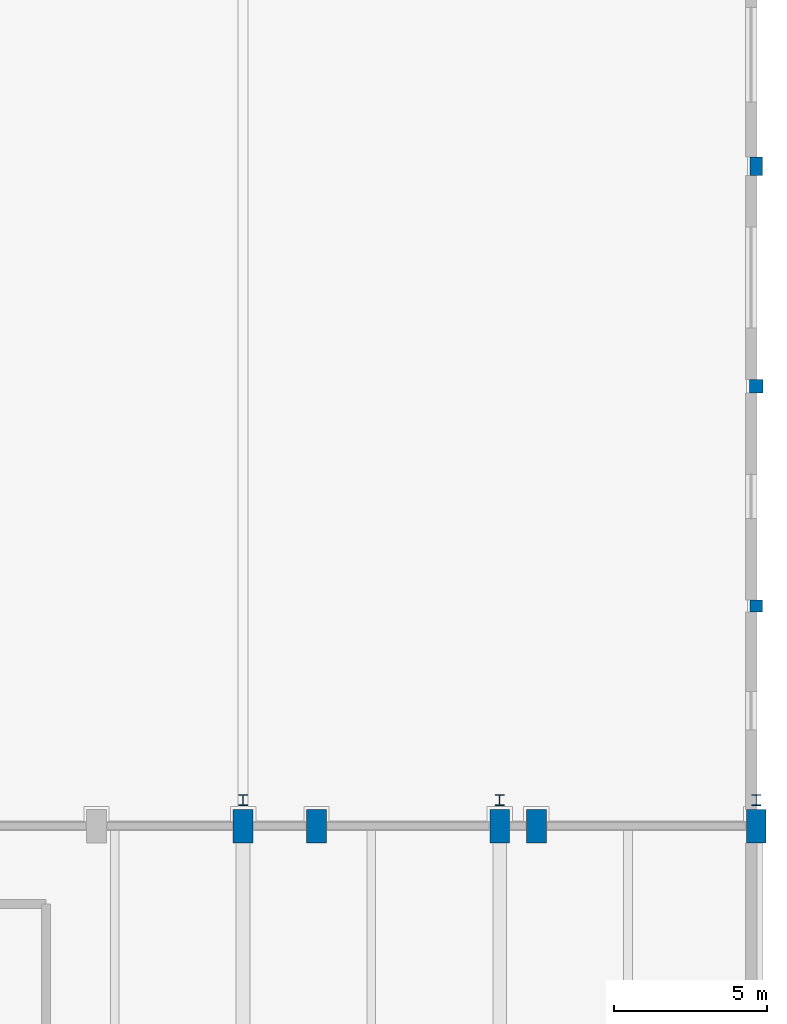
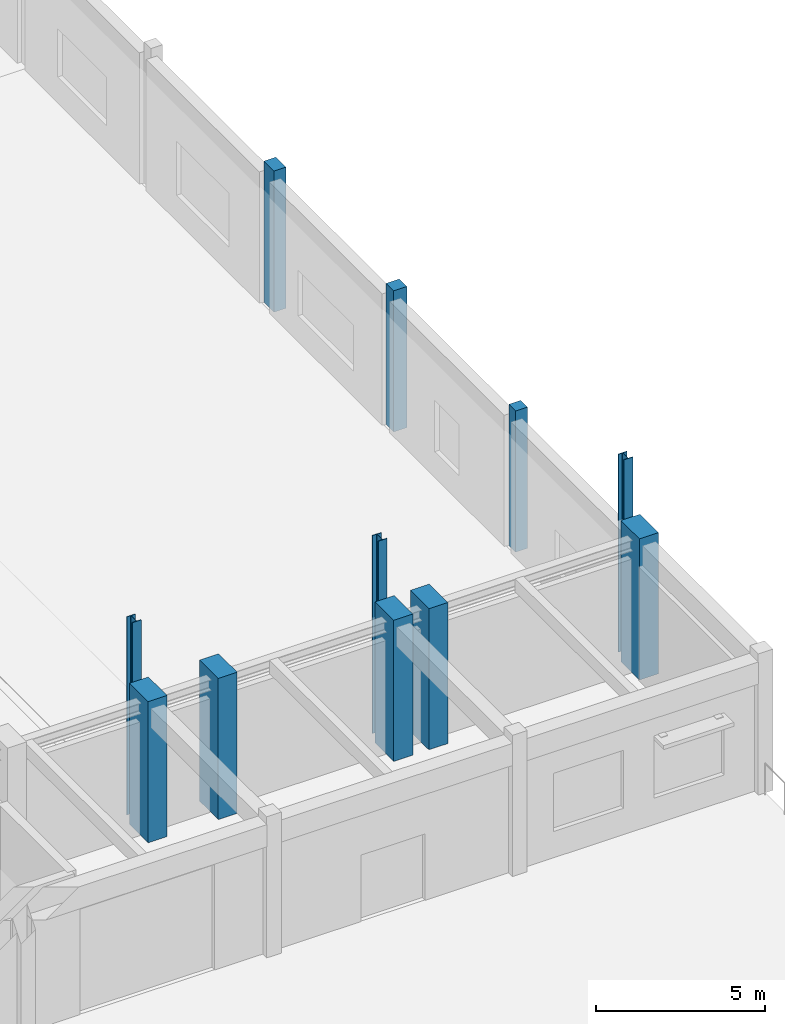
# One storey, part 30 of 121: 11 columns.
"""IFC4 building model written with IfcOpenShell, lengths in metres."""

import ifcopenshell
import ifcopenshell.guid

model = None  # the IFC model being written
_history = None  # IfcOwnerHistory: only IFC2X3 demands one
_inside = {}  # id of a spatial element -> (the spatial element, [elements in it])
_under = {}  # id of a project, library or spatial element -> (it, [spatial elements below it])
_declared = {}  # id of a project -> (the project, [libraries it declares])
_typed = {}  # id of a type object -> (the type object, [elements of that type])
_made_of = {}  # id of a material, layer set ... -> (it, [elements and type objects made of it])


def new_model(schema):
    """Start an empty IFC model of exactly this schema.

    Asked for "IFC4X3", IfcOpenShell would pick the latest addendum, in which some entities
    have other attributes; the version numbers below select the first issue.
    IFC2X3 requires an IfcOwnerHistory on every rooted entity: one is made here for all.
    """
    global model, _history
    if schema == "IFC4X3":
        model = ifcopenshell.file(schema_version=(4, 3, 0, 0))
    else:
        model = ifcopenshell.file(schema=schema)
    _inside.clear()
    _under.clear()
    _declared.clear()
    _typed.clear()
    _made_of.clear()
    _history = None
    if model.schema == "IFC2X3":
        org = make("IfcOrganization", Name="unknown")
        user = make(
            "IfcPersonAndOrganization",
            ThePerson=make("IfcPerson", FamilyName="unknown"),
            TheOrganization=org,
        )
        app = make(
            "IfcApplication",
            ApplicationDeveloper=org,
            Version="unknown",
            ApplicationFullName="unknown",
            ApplicationIdentifier="unknown",
        )
        _history = make(
            "IfcOwnerHistory",
            OwningUser=user,
            OwningApplication=app,
            ChangeAction="ADDED",
            CreationDate=0,
        )
    return model


def make(cls, **values):
    """One entity of the class cls with the attributes given. An attribute that is None is left unset."""
    return model.create_entity(
        cls, **{name: value for name, value in values.items() if value is not None}
    )


def rooted(cls, **values):
    """An entity with a GlobalId (a new one), such as an element, a storey or a relation."""
    return make(cls, GlobalId=ifcopenshell.guid.new(), OwnerHistory=_history, **values)


def si_unit(unit_type, name, prefix=None):
    """IfcSIUnit, for example si_unit("LENGTHUNIT", "METRE", prefix="MILLI")."""
    return make("IfcSIUnit", UnitType=unit_type, Prefix=prefix, Name=name)


def assignment(units):
    """IfcUnitAssignment: the units of a project."""
    return None if units is None else make("IfcUnitAssignment", Units=units)


def point(xyz):
    """IfcCartesianPoint."""
    return None if xyz is None else make("IfcCartesianPoint", Coordinates=xyz)


def direction(xyz):
    """IfcDirection."""
    return None if xyz is None else make("IfcDirection", DirectionRatios=xyz)


def frame(location, z_axis=None, x_axis=None):
    """IfcAxis2Placement3D, a coordinate frame: its origin and axes. An axis left out is left unset."""
    return make(
        "IfcAxis2Placement3D",
        Location=point(location),
        Axis=direction(z_axis),
        RefDirection=direction(x_axis),
    )


def frame_2d(location, x_axis=None):
    """IfcAxis2Placement2D, a coordinate frame in the plane: its origin and x axis."""
    return make(
        "IfcAxis2Placement2D", Location=point(location), RefDirection=direction(x_axis)
    )


def origin():
    """The frame at (0, 0, 0) with its axes left unset."""
    return frame((0.0, 0.0, 0.0))


def origin_2d():
    """The frame at (0, 0) in the plane with its x axis left unset."""
    return frame_2d((0.0, 0.0))


def place(relative_to, where):
    """IfcLocalPlacement: puts the frame where relative to a parent placement (None: the world)."""
    return make(
        "IfcLocalPlacement", PlacementRelTo=relative_to, RelativePlacement=where
    )


def context(
    kind, dimensions, precision=None, world=None, true_north=None, identifier=None
):
    """IfcGeometricRepresentationContext, for example the 3D "Model" context."""
    return make(
        "IfcGeometricRepresentationContext",
        ContextIdentifier=identifier,
        ContextType=kind,
        CoordinateSpaceDimension=dimensions,
        Precision=precision,
        WorldCoordinateSystem=world,
        TrueNorth=true_north,
    )


def subcontext(parent, identifier, kind, view, scale=None):
    """IfcGeometricRepresentationSubContext, for example "Body" below "Model"."""
    return make(
        "IfcGeometricRepresentationSubContext",
        ContextIdentifier=identifier,
        ContextType=kind,
        ParentContext=parent,
        TargetScale=scale,
        TargetView=view,
    )


def project(units=None, contexts=None):
    """IfcProject with its units and contexts."""
    return rooted(
        "IfcProject",
        Name="project",
        RepresentationContexts=contexts,
        UnitsInContext=assignment(units),
    )


def spatial(cls, under=None, at=None, **own):
    """A site, building, storey or space (cls), placed at a placement, below another one or the project."""
    s = rooted(cls, ObjectPlacement=at, **own)
    if under is not None:
        _under.setdefault(under.id(), (under, []))[1].append(s)
    return s


def profile(cls, at=None, kind="AREA", **sizes):
    """A parametric profile (cls). Its sizes go by their IFC names, for example OverallWidth=200.0."""
    return make(cls, ProfileType=kind, Position=at, **sizes)


def rectangle(**sizes):
    """IfcRectangleProfileDef."""
    return profile("IfcRectangleProfileDef", **sizes)


def i_section(**sizes):
    """IfcIShapeProfileDef."""
    return profile("IfcIShapeProfileDef", **sizes)


def extrude(swept, where, along, depth):
    """IfcExtrudedAreaSolid: the profile swept, set in the frame where, extruded along a direction by depth."""
    return make(
        "IfcExtrudedAreaSolid",
        SweptArea=swept,
        Position=where,
        ExtrudedDirection=direction(along),
        Depth=depth,
    )


def shape(context_of_items, identifier, shape_type, items):
    """IfcShapeRepresentation: the items that make up one representation, for example the "Body"."""
    return make(
        "IfcShapeRepresentation",
        ContextOfItems=context_of_items,
        RepresentationIdentifier=identifier,
        RepresentationType=shape_type,
        Items=items,
    )


def material(Name=None, Category=None):
    """IfcMaterial."""
    return make("IfcMaterial", Name=Name, Category=Category)


def material_profile(
    of_material, cross_section, Name=None, Category=None, Priority=None
):
    """IfcMaterialProfile: a cross section and its material."""
    return make(
        "IfcMaterialProfile",
        Name=Name,
        Material=of_material,
        Profile=cross_section,
        Priority=Priority,
        Category=Category,
    )


def profile_set(profiles, Name=None, composite=None):
    """IfcMaterialProfileSet."""
    return make(
        "IfcMaterialProfileSet",
        Name=Name,
        MaterialProfiles=profiles,
        CompositeProfile=composite,
    )


def made_of(thing, what):
    """Note that an element or type object is made of a material, layer set ...; save() writes the relation."""
    if what is not None:
        _made_of.setdefault(what.id(), (what, []))[1].append(thing)
    return thing


def type_object(cls, material=None, **own):
    """A type object (cls), such as IfcWallType, which elements share."""
    return made_of(rooted(cls, **own), material)


def element(
    cls,
    number,
    at=None,
    inside=None,
    cuts=None,
    type_object=None,
    material=None,
    context=None,
    identifier="Body",
    shape_type=None,
    held_by="IfcProductDefinitionShape",
    body=None,
    shapes=None,
    **own,
):
    """One element of the class cls, such as IfcWall. Its Tag is "e" and its number.

    at: its placement. inside: the storey or other place that contains it. cuts: it is an
    opening in that element (IfcRelVoidsElement). A single representation is given by context,
    identifier, shape_type and body (its items); several are given by shapes. held_by: the class
    of the entity that holds the representations. save() writes the other relations.
    """
    e = rooted(cls, Tag="e%d" % number, ObjectPlacement=at, **own)
    if body is not None:
        shapes = [shape(context, identifier, shape_type, body)]
    if shapes is not None:
        e.Representation = make(held_by, Representations=shapes)
    if inside is not None:
        _inside.setdefault(inside.id(), (inside, []))[1].append(e)
    if cuts is not None:
        rooted(
            "IfcRelVoidsElement", RelatingBuildingElement=cuts, RelatedOpeningElement=e
        )
    if type_object is not None:
        _typed.setdefault(type_object.id(), (type_object, []))[1].append(e)
    return made_of(e, material)


def aggregate(whole, parts):
    """IfcRelAggregates: a whole, such as a stair, and the parts it consists of."""
    return rooted("IfcRelAggregates", RelatingObject=whole, RelatedObjects=parts)


def save(model, path):
    """Write the relations noted so far, then the file.

    IfcRelAggregates (storeys below a building ...), IfcRelContainedInSpatialStructure (elements
    in a storey), IfcRelDefinesByType, IfcRelAssociatesMaterial and IfcRelDeclares: one each for
    every whole, place, type object, material and project.
    """
    for whole, parts in _under.values():
        aggregate(whole, parts)
    for where, things in _inside.values():
        rooted(
            "IfcRelContainedInSpatialStructure",
            RelatedElements=things,
            RelatingStructure=where,
        )
    for kind, things in _typed.values():
        rooted("IfcRelDefinesByType", RelatedObjects=things, RelatingType=kind)
    for what, things in _made_of.values():
        rooted("IfcRelAssociatesMaterial", RelatedObjects=things, RelatingMaterial=what)
    for by, libraries in _declared.values():
        rooted("IfcRelDeclares", RelatingContext=by, RelatedDefinitions=libraries)
    model.write(path)


model = new_model("IFC4")

# Units and contexts
model_context = context("Model", 3, precision=1e-05, world=origin(), true_north=direction((0.0, 1.0)))
body_context = subcontext(model_context, "Body", "Model", "MODEL_VIEW")
ifc_project = project(units=[si_unit("LENGTHUNIT", "METRE"), si_unit("AREAUNIT", "SQUARE_METRE"), si_unit("VOLUMEUNIT", "CUBIC_METRE"), si_unit("PLANEANGLEUNIT", "RADIAN"), si_unit("MASSUNIT", "GRAM", prefix="KILO")], contexts=[model_context])

# Site, building, storey
site_placement = place(None, origin())
site = spatial("IfcSite", under=ifc_project, at=site_placement, CompositionType="ELEMENT")
building_placement = place(site_placement, origin())
building = spatial("IfcBuilding", under=site, at=building_placement, Name="Malvenik Polytechnic", CompositionType="ELEMENT")
storey_placement = place(building_placement, origin())
storey = spatial("IfcBuildingStorey", under=building, at=storey_placement, Name="L00", CompositionType="ELEMENT", Elevation=0.0)

# Columns
ifc_material_1 = material(Name="Concrete C35/45", Category="concrete")
ifc_material_profile_1 = material_profile(ifc_material_1, rectangle(XDim=0.449951171875, YDim=0.449951171875, at=origin_2d()), Name="RC COL 450x450")
ifc_profile_set_1 = profile_set([ifc_material_profile_1], Name="Concrete C35/45")
column_type_1 = type_object("IfcColumnType", Name="STR-COL-C-09", PredefinedType="COLUMN", material=ifc_profile_set_1)
column_1_placement = place(storey_placement, frame((184.800048828125, 50.39990234375, 0.0), z_axis=(0.0, 0.0, 1.0), x_axis=(1.0, 0.0, 0.0)))
element("IfcColumn", 1, at=column_1_placement, inside=storey, type_object=column_type_1, Name="Column C-09 L00 (184.8,50.4)", PredefinedType="COLUMN", context=body_context, shape_type="SweptSolid", body=[
    extrude(rectangle(XDim=0.449951171875, YDim=0.449951171875, at=origin_2d()), origin(), (0.0, 0.0, 1.0), 5.10009765625),
])
ifc_material_2 = material(Name="Concrete C30/37", Category="concrete")
ifc_material_profile_2 = material_profile(ifc_material_2, rectangle(XDim=0.39990234375, YDim=0.39990234375, at=origin_2d()), Name="RC COL 400x400")
ifc_profile_set_2 = profile_set([ifc_material_profile_2], Name="Concrete C30/37")
column_type_2 = type_object("IfcColumnType", Name="STR-COL-C-10", PredefinedType="COLUMN", material=ifc_profile_set_2)
column_2_placement = place(storey_placement, frame((184.800048828125, 43.199951171875, 0.0), z_axis=(0.0, 0.0, 1.0), x_axis=(1.0, 0.0, 0.0)))
element("IfcColumn", 2, at=column_2_placement, inside=storey, type_object=column_type_2, Name="Column C-10 L00 (184.8,43.2)", PredefinedType="COLUMN", context=body_context, shape_type="SweptSolid", body=[
    extrude(rectangle(XDim=0.39990234375, YDim=0.39990234375, at=origin_2d()), origin(), (0.0, 0.0, 1.0), 5.10009765625),
])
ifc_material_profile_3 = material_profile(ifc_material_1, rectangle(XDim=0.64990234375, YDim=1.10009765625, at=origin_2d()), Name="RC COL 1100x650")
ifc_profile_set_3 = profile_set([ifc_material_profile_3], Name="Concrete C35/45")
column_type_3 = type_object("IfcColumnType", Name="STR-COL-C-12", PredefinedType="COLUMN", material=ifc_profile_set_3)
for number, where, z_axis, x_axis, name in (
    (3, (168.0, 36.0, 0.0), (0.0, 0.0, 1.0), (1.0, 0.0, 0.0), "Column C-12 L00 (168.0,36.0)"),
    (4, (170.39990234375, 36.0, 0.0), (0.0, 0.0, 1.0), (1.0, 0.0, 0.0), "Column C-12 L00 (170.4,36.0)"),
    (5, (176.39990234375, 36.0, 0.0), (0.0, 0.0, 1.0), (1.0, 0.0, 0.0), "Column C-12 L00 (176.4,36.0)"),
    (6, (177.60009765625, 36.0, 0.0), (0.0, 0.0, 1.0), (1.0, 0.0, 0.0), "Column C-12 L00 (177.6,36.0)"),
    (7, (184.800048828125, 36.0, 0.0), (0.0, 0.0, 1.0), (1.0, 0.0, 0.0), "Column C-12 L00 (184.8,36.0)"),
):
    element("IfcColumn", number, at=place(storey_placement, frame(where, z_axis=z_axis, x_axis=x_axis)), inside=storey, type_object=column_type_3, Name=name, PredefinedType="COLUMN", context=body_context, shape_type="SweptSolid", body=[
        extrude(rectangle(XDim=0.64990234375, YDim=1.10009765625, at=origin_2d()), origin(), (0.0, 0.0, 1.0), 5.10009765625),
    ])
ifc_material_profile_4 = material_profile(ifc_material_1, rectangle(XDim=0.39990234375, YDim=0.60009765625, at=origin_2d()), Name="RC COL 600x400")
ifc_profile_set_4 = profile_set([ifc_material_profile_4], Name="Concrete C35/45")
column_type_4 = type_object("IfcColumnType", Name="STR-COL-C-15", PredefinedType="COLUMN", material=ifc_profile_set_4)
column_3_placement = place(storey_placement, frame((184.800048828125, 57.60009765625, 0.0), z_axis=(0.0, 0.0, 1.0), x_axis=(1.0, 0.0, 0.0)))
element("IfcColumn", 8, at=column_3_placement, inside=storey, type_object=column_type_4, Name="Column C-15 L00 (184.8,57.6)", PredefinedType="COLUMN", context=body_context, shape_type="SweptSolid", body=[
    extrude(rectangle(XDim=0.39990234375, YDim=0.60009765625, at=origin_2d()), origin(), (0.0, 0.0, 1.0), 5.10009765625),
])
ifc_material_3 = material(Name="Steel S355", Category="steel")
ifc_material_profile_5 = material_profile(ifc_material_3, i_section(OverallWidth=0.300048828125, OverallDepth=0.360107421875, WebThickness=0.012451171875, FlangeThickness=0.0224609375, FilletRadius=0.027099609375, at=origin_2d()), Name="HEB 360")
ifc_profile_set_5 = profile_set([ifc_material_profile_5], Name="Steel S355")
column_type_5 = type_object("IfcColumnType", Name="STR-SCOL-SC-03", PredefinedType="COLUMN", material=ifc_profile_set_5)
for number, where, z_axis, x_axis, name in (
    (9, (168.0, 36.85009765625, 0.0), (0.0, 0.0, 1.0), (1.0, 0.0, 0.0), "Crane Runway Column SC-03 #1.5"),
    (10, (176.39990234375, 36.85009765625, 0.0), (0.0, 0.0, 1.0), (1.0, 0.0, 0.0), "Crane Runway Column SC-03 #1.6"),
    (11, (184.800048828125, 36.85009765625, 0.0), (0.0, 0.0, 1.0), (1.0, 0.0, 0.0), "Crane Runway Column SC-03 #1.7"),
):
    element("IfcColumn", number, at=place(storey_placement, frame(where, z_axis=z_axis, x_axis=x_axis)), inside=storey, type_object=column_type_5, Name=name, PredefinedType="COLUMN", context=body_context, shape_type="SweptSolid", body=[
        extrude(i_section(OverallWidth=0.300048828125, OverallDepth=0.360107421875, WebThickness=0.012451171875, FlangeThickness=0.0224609375, FilletRadius=0.027099609375, at=origin_2d()), origin(), (0.0, 0.0, 1.0), 7.155029296875),
    ])

save(model, "model.ifc")
